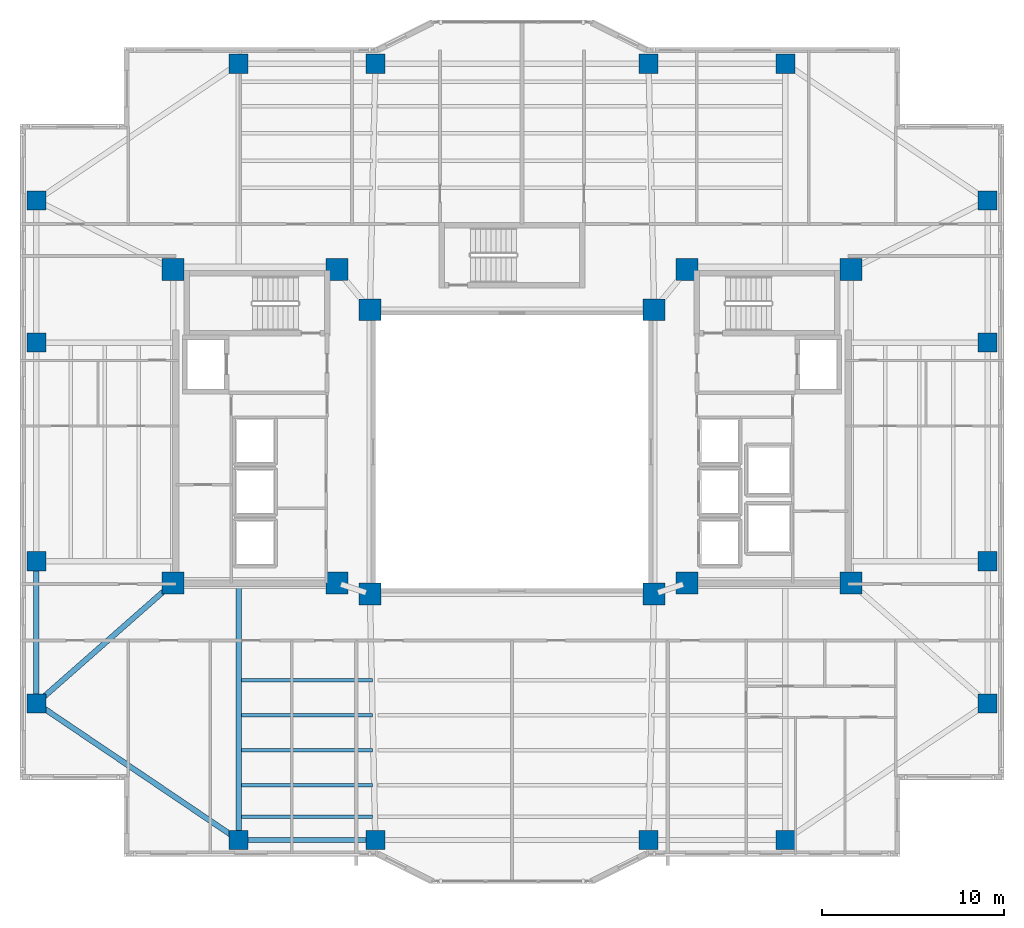
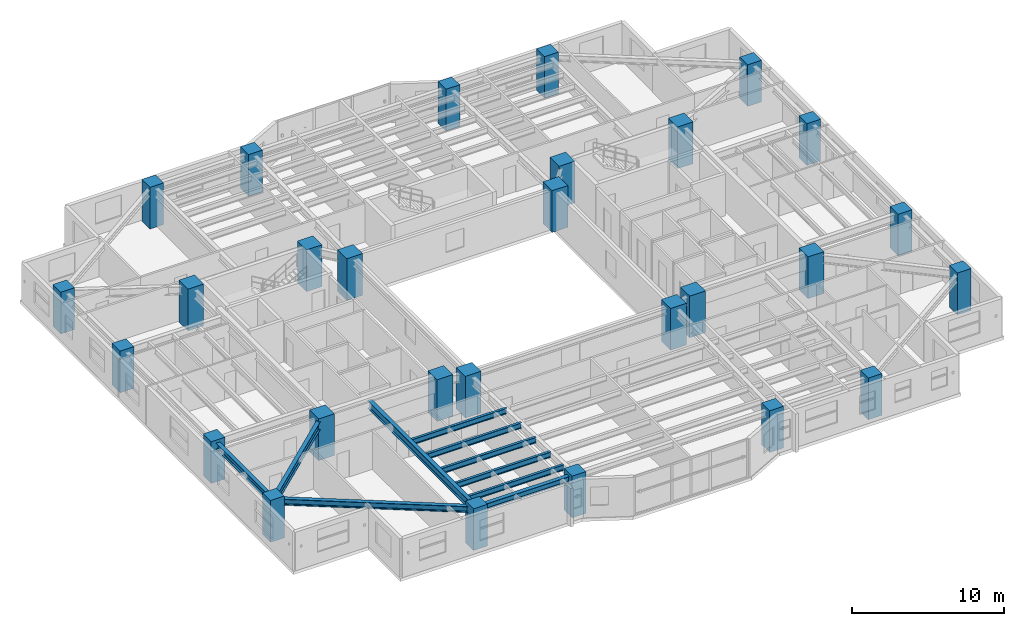
# One storey, part 1 of 18: 28 columns, 10 beams.
"""IFC4 building model written with IfcOpenShell, lengths in metres."""

from ifc_helpers import new_model, si_unit, direction, frame, origin, origin_2d, place, context, subcontext, project, spatial, rectangle, i_section, extrude, material, material_profile, profile_set, type_object, element, save


model = new_model("IFC4")

# Units and contexts
model_context = context("Model", 3, precision=1e-05, world=origin(), true_north=direction((0.0, 1.0)))
body_context = subcontext(model_context, "Body", "Model", "MODEL_VIEW")
ifc_project = project(units=[si_unit("LENGTHUNIT", "METRE"), si_unit("AREAUNIT", "SQUARE_METRE"), si_unit("VOLUMEUNIT", "CUBIC_METRE"), si_unit("PLANEANGLEUNIT", "RADIAN"), si_unit("MASSUNIT", "GRAM", prefix="KILO")], contexts=[model_context])

# Site, building, storey
site_placement = place(None, origin())
site = spatial("IfcSite", under=ifc_project, at=site_placement, CompositionType="ELEMENT")
building_placement = place(site_placement, origin())
building = spatial("IfcBuilding", under=site, at=building_placement, Name="Tarnavaz Court Tower", CompositionType="ELEMENT")
storey_placement = place(building_placement, frame((0.0, 0.0, 108.449951171875)))
storey = spatial("IfcBuildingStorey", under=building, at=storey_placement, Name="L29", CompositionType="ELEMENT", Elevation=108.449951171875)

# Columns
ifc_material_1 = material(Name="Concrete C60/75", Category="concrete")
ifc_material_profile_1 = material_profile(ifc_material_1, rectangle(XDim=1.050048828125, YDim=1.050048828125, at=origin_2d()), Name="RC 1050X1050")
ifc_profile_set_1 = profile_set([ifc_material_profile_1], Name="Concrete C60/75")
column_type_1 = type_object("IfcColumnType", Name="CL-RC1050", PredefinedType="COLUMN", material=ifc_profile_set_1)
for number, where, z_axis, x_axis, name in (
    (1, (-15.0, 21.300048828125, 0.0), (0.0, 0.0, 1.0), (1.0, 0.0, 0.0), "L29 Column PN-1"),
    (2, (-7.5, 21.300048828125, 0.0), (0.0, 0.0, 1.0), (1.0, 0.0, 0.0), "L29 Column PN-2"),
    (3, (7.5, 21.300048828125, 0.0), (0.0, 0.0, 1.0), (1.0, 0.0, 0.0), "L29 Column PN-3"),
    (4, (15.0, 21.300048828125, 0.0), (0.0, 0.0, 1.0), (1.0, 0.0, 0.0), "L29 Column PN-4"),
    (5, (-15.0, -21.300048828125, 0.0), (0.0, 0.0, 1.0), (1.0, 0.0, 0.0), "L29 Column PS-1"),
    (6, (-7.5, -21.300048828125, 0.0), (0.0, 0.0, 1.0), (1.0, 0.0, 0.0), "L29 Column PS-2"),
    (7, (7.5, -21.300048828125, 0.0), (0.0, 0.0, 1.0), (1.0, 0.0, 0.0), "L29 Column PS-3"),
    (8, (15.0, -21.300048828125, 0.0), (0.0, 0.0, 1.0), (1.0, 0.0, 0.0), "L29 Column PS-4"),
    (9, (26.10009765625, -13.800048828125, 0.0), (0.0, 0.0, 1.0), (1.0, 0.0, 0.0), "L29 Column PE-1"),
    (10, (26.10009765625, -6.0, 0.0), (0.0, 0.0, 1.0), (1.0, 0.0, 0.0), "L29 Column PE-2"),
    (11, (26.10009765625, 6.0, 0.0), (0.0, 0.0, 1.0), (1.0, 0.0, 0.0), "L29 Column PE-3"),
    (12, (26.10009765625, 13.800048828125, 0.0), (0.0, 0.0, 1.0), (1.0, 0.0, 0.0), "L29 Column PE-4"),
    (13, (-26.10009765625, -13.800048828125, 0.0), (0.0, 0.0, 1.0), (1.0, 0.0, 0.0), "L29 Column PW-1"),
    (14, (-26.10009765625, -6.0, 0.0), (0.0, 0.0, 1.0), (1.0, 0.0, 0.0), "L29 Column PW-2"),
    (15, (-26.10009765625, 6.0, 0.0), (0.0, 0.0, 1.0), (1.0, 0.0, 0.0), "L29 Column PW-3"),
    (16, (-26.10009765625, 13.800048828125, 0.0), (0.0, 0.0, 1.0), (1.0, 0.0, 0.0), "L29 Column PW-4"),
):
    element("IfcColumn", number, at=place(storey_placement, frame(where, z_axis=z_axis, x_axis=x_axis)), inside=storey, type_object=column_type_1, Name=name, PredefinedType="COLUMN", context=body_context, shape_type="SweptSolid", body=[
        extrude(rectangle(XDim=1.050048828125, YDim=1.050048828125, at=origin_2d()), origin(), (0.0, 0.0, 1.0), 3.35009765625),
    ])
ifc_material_profile_2 = material_profile(ifc_material_1, rectangle(XDim=1.199951171875, YDim=1.199951171875, at=origin_2d()), Name="RC 1200X1200")
ifc_profile_set_2 = profile_set([ifc_material_profile_2], Name="Concrete C60/75")
column_type_2 = type_object("IfcColumnType", Name="CL-RC1200", PredefinedType="COLUMN", material=ifc_profile_set_2)
for number, where, z_axis, x_axis, name in (
    (17, (-7.800048828125, -7.800048828125, 0.0), (0.0, 0.0, 1.0), (1.0, 0.0, 0.0), "L29 Column IW-SW"),
    (18, (7.800048828125, -7.800048828125, 0.0), (0.0, 0.0, 1.0), (1.0, 0.0, 0.0), "L29 Column IW-SE"),
    (19, (-7.800048828125, 7.800048828125, 0.0), (0.0, 0.0, 1.0), (1.0, 0.0, 0.0), "L29 Column IW-NW"),
    (20, (7.800048828125, 7.800048828125, 0.0), (0.0, 0.0, 1.0), (1.0, 0.0, 0.0), "L29 Column IW-NE"),
    (21, (-9.60009765625, -7.199951171875, 0.0), (0.0, 0.0, 1.0), (1.0, 0.0, 0.0), "L29 Column CW-SI"),
    (22, (-9.60009765625, 10.0, 0.0), (0.0, 0.0, 1.0), (1.0, 0.0, 0.0), "L29 Column CW-NI"),
    (23, (9.60009765625, -7.199951171875, 0.0), (0.0, 0.0, 1.0), (1.0, 0.0, 0.0), "L29 Column CE-SI"),
    (24, (9.60009765625, 10.0, 0.0), (0.0, 0.0, 1.0), (1.0, 0.0, 0.0), "L29 Column CE-NI"),
    (25, (-18.60009765625, -7.199951171875, 0.0), (0.0, 0.0, 1.0), (1.0, 0.0, 0.0), "L29 Column CW-SO"),
    (26, (-18.60009765625, 10.0, 0.0), (0.0, 0.0, 1.0), (1.0, 0.0, 0.0), "L29 Column CW-NO"),
    (27, (18.60009765625, -7.199951171875, 0.0), (0.0, 0.0, 1.0), (1.0, 0.0, 0.0), "L29 Column CE-SO"),
    (28, (18.60009765625, 10.0, 0.0), (0.0, 0.0, 1.0), (1.0, 0.0, 0.0), "L29 Column CE-NO"),
):
    element("IfcColumn", number, at=place(storey_placement, frame(where, z_axis=z_axis, x_axis=x_axis)), inside=storey, type_object=column_type_2, Name=name, PredefinedType="COLUMN", context=body_context, shape_type="SweptSolid", body=[
        extrude(rectangle(XDim=1.199951171875, YDim=1.199951171875, at=origin_2d()), origin(), (0.0, 0.0, 1.0), 3.35009765625),
    ])

# Beams
ifc_material_2 = material(Name="Steel S355", Category="steel")
ifc_material_profile_3 = material_profile(ifc_material_2, i_section(OverallWidth=0.300048828125, OverallDepth=0.64990234375, WebThickness=0.01611328125, FlangeThickness=0.031005859375, FilletRadius=0.027099609375, at=origin_2d()), Name="HEB 650")
ifc_profile_set_3 = profile_set([ifc_material_profile_3], Name="Steel S355")
beam_type_1 = type_object("IfcBeamType", Name="BM-G-HEB650", PredefinedType="USERDEFINED", material=ifc_profile_set_3)
beam_1_placement = place(storey_placement, frame((-15.0, -7.239990234375, 2.775146484375), z_axis=(0.0, -1.0, 0.0), x_axis=(1.0, 0.0, 0.0)))
element("IfcBeam", 29, at=beam_1_placement, inside=storey, type_object=beam_type_1, Name="L29 Beam RG-05", ObjectType="GIRDER", PredefinedType="USERDEFINED", context=body_context, shape_type="SweptSolid", body=[
    extrude(i_section(OverallWidth=0.300048828125, OverallDepth=0.64990234375, WebThickness=0.01611328125, FlangeThickness=0.031005859375, FilletRadius=0.027099609375, at=origin_2d()), origin(), (0.0, 0.0, 1.0), 13.840087890625),
])
beam_2_placement = place(storey_placement, frame((-18.76513671875, -7.34521484375, 2.775146484375), z_axis=(-0.750700332035, -0.660642877417, 0.0), x_axis=(0.660642877417, -0.750700332035, 0.0)))
element("IfcBeam", 30, at=beam_2_placement, inside=storey, type_object=beam_type_1, Name="L29 Beam RG-15", ObjectType="GIRDER", PredefinedType="USERDEFINED", context=body_context, shape_type="SweptSolid", body=[
    extrude(i_section(OverallWidth=0.300048828125, OverallDepth=0.64990234375, WebThickness=0.01611328125, FlangeThickness=0.031005859375, FilletRadius=0.027099609375, at=origin_2d()), origin(), (0.0, 0.0, 1.0), 9.550537109375),
])
ifc_material_profile_4 = material_profile(ifc_material_2, i_section(OverallWidth=0.18994140625, OverallDepth=0.449951171875, WebThickness=0.009521484375, FlangeThickness=0.0146484375, FilletRadius=0.02099609375, at=origin_2d()), Name="IPE 450")
ifc_profile_set_4 = profile_set([ifc_material_profile_4], Name="Steel S355")
beam_type_2 = type_object("IfcBeamType", Name="BM-J-IPE450", PredefinedType="JOIST", material=ifc_profile_set_4)
for number, where, z_axis, x_axis, name in (
    (31, (-14.85009765625, -12.52587890625, 2.875), (1.0, 0.0, 0.0), (0.0, 1.0, 0.0), "L29 Beam JS1-1"),
    (32, (-14.85009765625, -14.451904296875, 2.875), (1.0, 0.0, 0.0), (0.0, 1.0, 0.0), "L29 Beam JS2-1"),
    (33, (-14.85009765625, -16.3779296875, 2.875), (1.0, 0.0, 0.0), (0.0, 1.0, 0.0), "L29 Beam JS3-1"),
    (34, (-14.85009765625, -18.303955078125, 2.875), (1.0, 0.0, 0.0), (0.0, 1.0, 0.0), "L29 Beam JS4-1"),
    (35, (-14.85009765625, -20.01611328125, 2.875), (1.0, 0.0, 0.0), (0.0, 1.0, 0.0), "L29 Beam JS5-1"),
):
    element("IfcBeam", number, at=place(storey_placement, frame(where, z_axis=z_axis, x_axis=x_axis)), inside=storey, type_object=beam_type_2, Name=name, PredefinedType="JOIST", context=body_context, shape_type="SweptSolid", body=[
        extrude(i_section(OverallWidth=0.18994140625, OverallDepth=0.449951171875, WebThickness=0.009521484375, FlangeThickness=0.0146484375, FilletRadius=0.02099609375, at=origin_2d()), origin(), (0.0, 0.0, 1.0), 7.2001953125),
    ])
ifc_material_profile_5 = material_profile(ifc_material_2, i_section(OverallWidth=0.300048828125, OverallDepth=0.489990234375, WebThickness=0.011962890625, FlangeThickness=0.02294921875, FilletRadius=0.027099609375, at=origin_2d()), Name="HEA 500")
ifc_profile_set_5 = profile_set([ifc_material_profile_5], Name="Steel S355")
beam_type_3 = type_object("IfcBeamType", Name="BM-SP-HEA500", PredefinedType="SPANDREL", material=ifc_profile_set_5)
beam_3_placement = place(storey_placement, frame((-14.780029296875, -21.300048828125, 2.85498046875), z_axis=(1.0, 0.0, 0.0), x_axis=(0.0, 1.0, 0.0)))
element("IfcBeam", 36, at=beam_3_placement, inside=storey, type_object=beam_type_3, Name="L29 Beam PR-PS-1-PS-2", PredefinedType="SPANDREL", context=body_context, shape_type="SweptSolid", body=[
    extrude(i_section(OverallWidth=0.300048828125, OverallDepth=0.489990234375, WebThickness=0.011962890625, FlangeThickness=0.02294921875, FilletRadius=0.027099609375, at=origin_2d()), origin(), (0.0, 0.0, 1.0), 7.06005859375),
])
beam_4_placement = place(storey_placement, frame((-26.10009765625, -13.580078125, 2.85498046875), z_axis=(0.0, 1.0, 0.0), x_axis=(-1.0, 0.0, 0.0)))
element("IfcBeam", 37, at=beam_4_placement, inside=storey, type_object=beam_type_3, Name="L29 Beam PR-PW-1-PW-2", PredefinedType="SPANDREL", context=body_context, shape_type="SweptSolid", body=[
    extrude(i_section(OverallWidth=0.300048828125, OverallDepth=0.489990234375, WebThickness=0.011962890625, FlangeThickness=0.02294921875, FilletRadius=0.027099609375, at=origin_2d()), origin(), (0.0, 0.0, 1.0), 7.360107421875),
])
beam_5_placement = place(storey_placement, frame((-15.182373046875, -21.1767578125, 2.85498046875), z_axis=(-0.828587314918, 0.559859858854, 0.0), x_axis=(-0.559859858854, -0.828587314918, 0.0)))
element("IfcBeam", 38, at=beam_5_placement, inside=storey, type_object=beam_type_3, Name="L29 Beam PR-PS-1-PW-1", PredefinedType="SPANDREL", context=body_context, shape_type="SweptSolid", body=[
    extrude(i_section(OverallWidth=0.300048828125, OverallDepth=0.489990234375, WebThickness=0.011962890625, FlangeThickness=0.02294921875, FilletRadius=0.027099609375, at=origin_2d()), origin(), (0.0, 0.0, 1.0), 12.956298828125),
])

save(model, "model.ifc")
